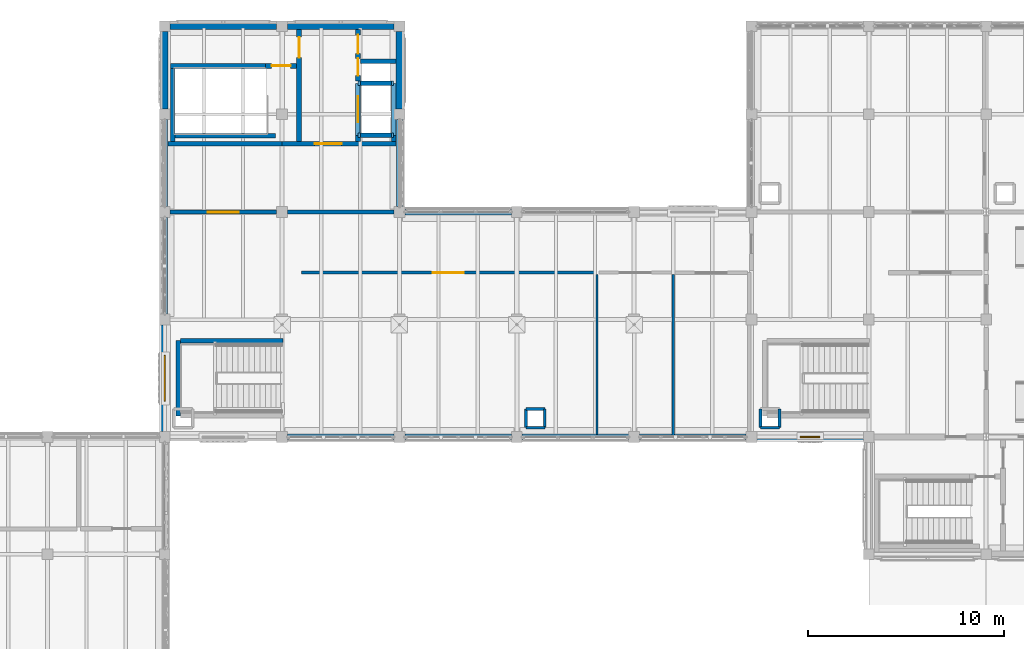
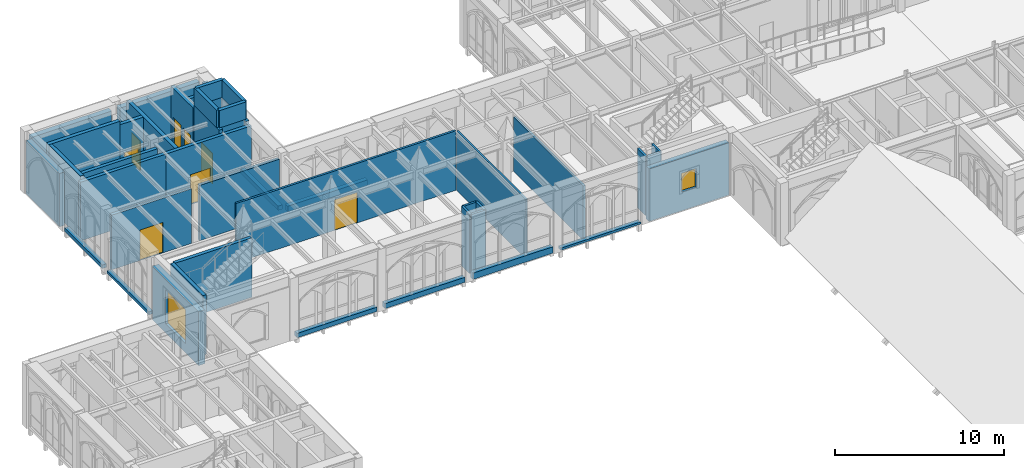
# One storey, part 75 of 108: 45 walls, 8 doors, 2 windows, 10 openings.
"""IFC4 building model written with IfcOpenShell, lengths in metres."""

from ifc_helpers import new_model, si_unit, direction, frame, frame_2d, origin, place, context, subcontext, project, spatial, rectangle, extrude, material, layer, layer_set, type_object, element, fill, save


model = new_model("IFC4")

# Units and contexts
model_context = context("Model", 3, precision=1e-05, world=origin(), true_north=direction((0.0, 1.0)))
body_context = subcontext(model_context, "Body", "Model", "MODEL_VIEW")
ifc_project = project(units=[si_unit("LENGTHUNIT", "METRE"), si_unit("AREAUNIT", "SQUARE_METRE"), si_unit("VOLUMEUNIT", "CUBIC_METRE"), si_unit("PLANEANGLEUNIT", "RADIAN"), si_unit("MASSUNIT", "GRAM", prefix="KILO")], contexts=[model_context])

# Site, building, storey
site_placement = place(None, origin())
site = spatial("IfcSite", under=ifc_project, at=site_placement, CompositionType="ELEMENT")
building_placement = place(site_placement, origin())
building = spatial("IfcBuilding", under=site, at=building_placement, Name="Cumevento Cable Car Station", CompositionType="ELEMENT")
storey_placement = place(building_placement, frame((0.0, 0.0, 13.5)))
storey = spatial("IfcBuildingStorey", under=building, at=storey_placement, Name="L04", CompositionType="ELEMENT", Elevation=13.5)

# Walls
ifc_material_1 = material(Name="Gnaisse Facoidal Stone Ashlar 85 MPa", Category="masonry")
ifc_layer_1 = layer(ifc_material_1, 0.294921875)
ifc_layer_set_1 = layer_set([ifc_layer_1], Name="Gnaisse Facoidal Stone Ashlar 85 MPa")
wall_type_1 = type_object("IfcWallType", Name="Exterior Envelope Wall EW-295 295", PredefinedType="SOLIDWALL", material=ifc_layer_set_1)
wall_1_placement = place(storey_placement, frame((33.72509765625, 45.0, 0.0), z_axis=(0.0, 0.0, 1.0), x_axis=(-1.0, 0.0, 0.0)))
element("IfcWall", 1, at=wall_1_placement, inside=storey, type_object=wall_type_1, Name="Exterior Sill Curb Wall EW-295 L04 #316", PredefinedType="SOLIDWALL", context=body_context, shape_type="SweptSolid", body=[
    extrude(rectangle(XDim=5.4501953125, YDim=0.294921875, at=frame_2d((2.72509765625, 0.0))), origin(), (0.0, 0.0, 1.0), 0.31005859375),
])
wall_2_placement = place(storey_placement, frame((39.72509765625, 45.0, 0.0), z_axis=(0.0, 0.0, 1.0), x_axis=(-1.0, 0.0, 0.0)))
element("IfcWall", 2, at=wall_2_placement, inside=storey, type_object=wall_type_1, Name="Exterior Sill Curb Wall EW-295 L04 #317", PredefinedType="SOLIDWALL", context=body_context, shape_type="SweptSolid", body=[
    extrude(rectangle(XDim=5.4501953125, YDim=0.294921875, at=frame_2d((2.72509765625, 0.0))), origin(), (0.0, 0.0, 1.0), 0.360107421875),
])
wall_3_placement = place(storey_placement, frame((34.27490234375, 56.5, 0.0), z_axis=(0.0, 0.0, 1.0), x_axis=(1.0, 0.0, 0.0)))
element("IfcWall", 3, at=wall_3_placement, inside=storey, type_object=wall_type_1, Name="Exterior Sill Curb Wall EW-295 L04 #318", PredefinedType="SOLIDWALL", context=body_context, shape_type="SweptSolid", body=[
    extrude(rectangle(XDim=5.4501953125, YDim=0.294921875, at=frame_2d((2.72509765625, 0.0))), origin(), (0.0, 0.0, 1.0), 0.409912109375),
])
wall_4_placement = place(storey_placement, frame((45.72509765625, 45.0, 0.0), z_axis=(0.0, 0.0, 1.0), x_axis=(-1.0, 0.0, 0.0)))
element("IfcWall", 4, at=wall_4_placement, inside=storey, type_object=wall_type_1, Name="Exterior Sill Curb Wall EW-295 L04 #319", PredefinedType="SOLIDWALL", context=body_context, shape_type="SweptSolid", body=[
    extrude(rectangle(XDim=5.4501953125, YDim=0.294921875, at=frame_2d((2.72509765625, 0.0))), origin(), (0.0, 0.0, 1.0), 0.4599609375),
])
wall_5_placement = place(storey_placement, frame((51.72509765625, 45.0, 0.0), z_axis=(0.0, 0.0, 1.0), x_axis=(-1.0, 0.0, 0.0)))
element("IfcWall", 5, at=wall_5_placement, inside=storey, type_object=wall_type_1, Name="Exterior Sill Curb Wall EW-295 L04 #321", PredefinedType="SOLIDWALL", context=body_context, shape_type="SweptSolid", body=[
    extrude(rectangle(XDim=5.4501953125, YDim=0.294921875, at=frame_2d((2.72509765625, 0.0))), origin(), (0.0, 0.0, 1.0), 0.159912109375),
])
wall_6_placement = place(storey_placement, frame((22.0, 51.27490234375, 0.0), z_axis=(0.0, 0.0, 1.0), x_axis=(0.0, 1.0, 0.0)))
element("IfcWall", 6, at=wall_6_placement, inside=storey, type_object=wall_type_1, Name="Exterior Sill Curb Wall EW-295 L04 #324", PredefinedType="SOLIDWALL", context=body_context, shape_type="SweptSolid", body=[
    extrude(rectangle(XDim=4.9501953125, YDim=0.294921875, at=frame_2d((2.47509765625, 0.0))), origin(), (0.0, 0.0, 1.0), 0.2099609375),
])
wall_7_placement = place(storey_placement, frame((22.0, 56.77490234375, 0.0), z_axis=(0.0, 0.0, 1.0), x_axis=(0.0, 1.0, 0.0)))
element("IfcWall", 7, at=wall_7_placement, inside=storey, type_object=wall_type_1, Name="Exterior Sill Curb Wall EW-295 L04 #327", PredefinedType="SOLIDWALL", context=body_context, shape_type="SweptSolid", body=[
    extrude(rectangle(XDim=4.4501953125, YDim=0.294921875, at=frame_2d((2.22509765625, 0.0))), origin(), (0.0, 0.0, 1.0), 0.260009765625),
])
wall_8_placement = place(storey_placement, frame((34.0, 61.22509765625, 0.0), z_axis=(0.0, 0.0, 1.0), x_axis=(0.0, -1.0, 0.0)))
element("IfcWall", 8, at=wall_8_placement, inside=storey, type_object=wall_type_1, Name="Exterior Sill Curb Wall EW-295 L04 #328", PredefinedType="SOLIDWALL", context=body_context, shape_type="SweptSolid", body=[
    extrude(rectangle(XDim=4.4501953125, YDim=0.294921875, at=frame_2d((2.22509765625, 0.0))), origin(), (0.0, 0.0, 1.0), 0.31005859375),
])
ifc_material_2 = material(Name="Concrete C40/50", Category="concrete")
ifc_layer_2 = layer(ifc_material_2, 0.35498046875)
ifc_layer_set_2 = layer_set([ifc_layer_2], Name="Concrete C40/50")
wall_type_2 = type_object("IfcWallType", Name="Exterior Envelope Wall EW-355 355", PredefinedType="SOLIDWALL", material=ifc_layer_set_2)
for number, where, z_axis, x_axis, name in (
    (9, (22.27490234375, 66.0, 0.0), (0.0, 0.0, 1.0), (1.0, 0.0, 0.0), "Exterior Wall EW-355 L04 #325"),
    (10, (28.27490234375, 66.0, 0.0), (0.0, 0.0, 1.0), (1.0, 0.0, 0.0), "Exterior Wall EW-355 L04 #326"),
):
    element("IfcWall", number, at=place(storey_placement, frame(where, z_axis=z_axis, x_axis=x_axis)), inside=storey, type_object=wall_type_2, Name=name, PredefinedType="SOLIDWALL", context=body_context, shape_type="SweptSolid", body=[
        extrude(rectangle(XDim=5.4501953125, YDim=0.35498046875, at=frame_2d((2.72509765625, 0.0))), origin(), (0.0, 0.0, 1.0), 3.843017578125),
    ])
for number, where, z_axis, x_axis, name in (
    (11, (22.0, 61.77490234375, 0.0), (0.0, 0.0, 1.0), (0.0, 1.0, 0.0), "Exterior Wall EW-355 L04 #329"),
    (12, (34.0, 65.72509765625, 0.0), (0.0, 0.0, 1.0), (0.0, -1.0, 0.0), "Exterior Wall EW-355 L04 #330"),
):
    element("IfcWall", number, at=place(storey_placement, frame(where, z_axis=z_axis, x_axis=x_axis)), inside=storey, type_object=wall_type_2, Name=name, PredefinedType="SOLIDWALL", context=body_context, shape_type="SweptSolid", body=[
        extrude(rectangle(XDim=3.9501953125, YDim=0.35498046875, at=frame_2d((1.97509765625, 0.0))), origin(), (0.0, 0.0, 1.0), 3.843017578125),
    ])

# Wall, opening, window
wall_9_placement = place(storey_placement, frame((57.72509765625, 45.0, 0.0), z_axis=(0.0, 0.0, 1.0), x_axis=(-1.0, 0.0, 0.0)))
wall_9 = element("IfcWall", 13, at=wall_9_placement, inside=storey, type_object=wall_type_2, Name="Exterior Wall EW-355 L04 #331", PredefinedType="SOLIDWALL", context=body_context, shape_type="SweptSolid", body=[
    extrude(rectangle(XDim=5.4501953125, YDim=0.35498046875, at=frame_2d((2.72509765625, 0.0))), origin(), (0.0, 0.0, 1.0), 3.797119140625),
])
opening_1_placement = place(wall_9_placement, frame((2.22509765625, 0.0, 1.35009765625)))
opening_1 = element("IfcOpeningElement", 14, at=opening_1_placement, cuts=wall_9, Name="Opening WN-L04-089", PredefinedType="OPENING", context=body_context, shape_type="SweptSolid", body=[
    extrude(rectangle(XDim=1.0, YDim=1.35009765625, at=frame_2d((0.5, 0.675048828125))), frame((0.0, 0.1875, 0.0), z_axis=(0.0, -1.0, 0.0), x_axis=(1.0, 0.0, 0.0)), (0.0, 0.0, 1.0), 0.375),
])
ifc_material_3 = material(Name="Anodised Bronze Aluminium & Laminated Solar Glass", Category="aluminium")
window_type_1 = type_object("IfcWindowType", Name="Lancet Window WN-17 1000x1350", PartitioningType="SINGLE_PANEL", PredefinedType="WINDOW", material=ifc_material_3)
window_1_placement = place(opening_1_placement, origin())
window_1 = element("IfcWindow", 15, at=window_1_placement, inside=storey, type_object=window_type_1, Name="Lancet Window WN-L04-089 (WN-17)", OverallHeight=1.35009765625, OverallWidth=1.0, PartitioningType="SINGLE_PANEL", PredefinedType="WINDOW", context=body_context, shape_type="SweptSolid", body=[
    extrude(rectangle(XDim=1.0, YDim=1.35009765625, at=frame_2d((0.5, 0.675048828125))), frame((0.0, 0.030029296875, 0.0), z_axis=(0.0, -1.0, 0.0), x_axis=(1.0, 0.0, 0.0)), (0.0, 0.0, 1.0), 0.06005859375),
])
fill(opening_1, window_1)

ifc_material_4 = material(Name="Gnaisse Facoidal Stone Ashlar 85 MPa", Category="masonry")
ifc_layer_3 = layer(ifc_material_4, 0.429931640625)
ifc_layer_set_3 = layer_set([ifc_layer_3], Name="Gnaisse Facoidal Stone Ashlar 85 MPa")
wall_type_3 = type_object("IfcWallType", Name="Exterior Envelope Wall EW-430 430", PredefinedType="SOLIDWALL", material=ifc_layer_set_3)
wall_10_placement = place(storey_placement, frame((22.0, 45.27490234375, 0.0), z_axis=(0.0, 0.0, 1.0), x_axis=(0.0, 1.0, 0.0)))
wall_10 = element("IfcWall", 16, at=wall_10_placement, inside=storey, type_object=wall_type_3, Name="Exterior Wall EW-430 L04 #323", PredefinedType="SOLIDWALL", context=body_context, shape_type="SweptSolid", body=[
    extrude(rectangle(XDim=5.4501953125, YDim=0.429931640625, at=frame_2d((2.72509765625, 0.0))), origin(), (0.0, 0.0, 1.0), 3.881103515625),
])
opening_2_placement = place(wall_10_placement, frame((1.550048828125, 0.0, 0.64990234375)))
opening_2 = element("IfcOpeningElement", 17, at=opening_2_placement, cuts=wall_10, Name="Opening WN-L04-088", PredefinedType="OPENING", context=body_context, shape_type="SweptSolid", body=[
    extrude(rectangle(XDim=2.35009765625, YDim=2.449951171875, at=frame_2d((1.175048828125, 1.22509765625))), frame((0.0, 0.224853515625, 0.0), z_axis=(0.0, -1.0, 0.0), x_axis=(1.0, 0.0, 0.0)), (0.0, 0.0, 1.0), 0.449951171875),
])
ifc_material_5 = material(Name="Anodised Bronze Aluminium & Laminated Solar Glass", Category="aluminium")
window_type_2 = type_object("IfcWindowType", Name="Lancet Window WN-16 2350x2450", PartitioningType="DOUBLE_PANEL_VERTICAL", PredefinedType="WINDOW", material=ifc_material_5)
window_2_placement = place(opening_2_placement, origin())
window_2 = element("IfcWindow", 18, at=window_2_placement, inside=storey, type_object=window_type_2, Name="Lancet Window WN-L04-088 (WN-16)", OverallHeight=2.449951171875, OverallWidth=2.35009765625, PartitioningType="SINGLE_PANEL", PredefinedType="WINDOW", context=body_context, shape_type="SweptSolid", body=[
    extrude(rectangle(XDim=2.35009765625, YDim=2.449951171875, at=frame_2d((1.175048828125, 1.22509765625))), frame((0.0, 0.030029296875, 0.0), z_axis=(0.0, -1.0, 0.0), x_axis=(1.0, 0.0, 0.0)), (0.0, 0.0, 1.0), 0.06005859375),
])
fill(opening_2, window_2)

# Wall, opening, door
ifc_material_6 = material(Name="Concrete C40/50", Category="concrete")
ifc_layer_4 = layer(ifc_material_6, 0.219970703125)
ifc_layer_set_4 = layer_set([ifc_layer_4], Name="Concrete C40/50")
wall_type_4 = type_object("IfcWallType", Name="Interior Partition FW-220 220", PredefinedType="SOLIDWALL", material=ifc_layer_set_4)
wall_11_placement = place(storey_placement, frame((22.277099609375, 56.5, 0.0), z_axis=(0.0, 0.0, 1.0), x_axis=(1.0, 0.0, 0.0)))
wall_11 = element("IfcWall", 19, at=wall_11_placement, inside=storey, type_object=wall_type_4, Name="Interior Wall FW-220 L04 #702", PredefinedType="SOLIDWALL", context=body_context, shape_type="SweptSolid", body=[
    extrude(rectangle(XDim=5.44580078125, YDim=0.219970703125, at=frame_2d((2.722900390625, 0.0))), origin(), (0.0, 0.0, 1.0), 3.944091796875),
])
opening_3_placement = place(wall_11_placement, frame((1.93310546875, 0.0, 0.0)))
opening_3 = element("IfcOpeningElement", 20, at=opening_3_placement, cuts=wall_11, Name="Opening DR-L04-283", PredefinedType="OPENING", context=body_context, shape_type="SweptSolid", body=[
    extrude(rectangle(XDim=1.580078125, YDim=2.199951171875, at=frame_2d((0.7900390625, 1.10009765625))), frame((0.0, 0.119873046875, 0.0), z_axis=(0.0, -1.0, 0.0), x_axis=(1.0, 0.0, 0.0)), (0.0, 0.0, 1.0), 0.239990234375),
])
ifc_material_7 = material(Name="Galvanised Painted Steel Fire Door", Category="steel")
door_type_1 = type_object("IfcDoorType", Name="Interior Door FD-06 1580x2200", OperationType="NOTDEFINED", PredefinedType="DOOR", material=ifc_material_7)
door_1_placement = place(opening_3_placement, origin())
door_1 = element("IfcDoor", 21, at=door_1_placement, inside=storey, type_object=door_type_1, Name="Interior Door DR-L04-283 (FD-06)", OperationType="DOUBLE_DOOR_SINGLE_SWING", OverallHeight=2.199951171875, OverallWidth=1.580078125, PredefinedType="DOOR", context=body_context, shape_type="SweptSolid", body=[
    extrude(rectangle(XDim=1.580078125, YDim=2.199951171875, at=frame_2d((0.7900390625, 1.10009765625))), frame((0.0, 0.02490234375, 0.0), z_axis=(0.0, -1.0, 0.0), x_axis=(1.0, 0.0, 0.0)), (0.0, 0.0, 1.0), 0.050048828125),
])
fill(opening_3, door_1)

# Walls
wall_12_placement = place(storey_placement, frame((28.277099609375, 56.5, 0.0), z_axis=(0.0, 0.0, 1.0), x_axis=(1.0, 0.0, 0.0)))
element("IfcWall", 22, at=wall_12_placement, inside=storey, type_object=wall_type_4, Name="Interior Wall FW-220 L04 #703", PredefinedType="SOLIDWALL", context=body_context, shape_type="SweptSolid", body=[
    extrude(rectangle(XDim=5.44580078125, YDim=0.219970703125, at=frame_2d((2.722900390625, 0.0))), origin(), (0.0, 0.0, 1.0), 3.98388671875),
])
ifc_material_8 = material(Name="Gypsum Board & Insulated Stud Partition", Category="gypsum")
ifc_layer_5 = layer(ifc_material_8, 0.125)
ifc_layer_set_5 = layer_set([ifc_layer_5], Name="Gypsum Board & Insulated Stud Partition")
wall_type_5 = type_object("IfcWallType", Name="Interior Partition PT-125 125", PredefinedType="PARTITIONING", material=ifc_layer_set_5)
wall_13_placement = place(storey_placement, frame((44.10009765625, 45.1240234375, 0.0), z_axis=(0.0, 0.0, 1.0), x_axis=(0.0, 1.0, 0.0)))
element("IfcWall", 23, at=wall_13_placement, inside=storey, type_object=wall_type_5, Name="Interior Wall PT-125 L04 #697", PredefinedType="PARTITIONING", context=body_context, shape_type="SweptSolid", body=[
    extrude(rectangle(XDim=8.176025390625, YDim=0.125, at=frame_2d((4.087890625, 0.0))), origin(), (0.0, 0.0, 1.0), 4.2880859375),
])
ifc_material_9 = material(Name="Gypsum Board & Insulated Stud Partition", Category="gypsum")
ifc_layer_6 = layer(ifc_material_9, 0.14501953125)
ifc_layer_set_6 = layer_set([ifc_layer_6], Name="Gypsum Board & Insulated Stud Partition")
wall_type_6 = type_object("IfcWallType", Name="Interior Partition PT-145 145", PredefinedType="PARTITIONING", material=ifc_layer_set_6)
for number, where, z_axis, x_axis, name in (
    (24, (40.469970703125, 45.469970703125, 0.0), (0.0, 0.0, 1.0), (1.0, 0.0, 0.0), "Interior Wall PT-145 L04 #53"),
    (25, (41.429931640625, 45.469970703125, 0.0), (0.0, 0.0, 1.0), (0.0, 1.0, 0.0), "Interior Wall PT-145 L04 #54"),
    (26, (41.429931640625, 46.429931640625, 0.0), (0.0, 0.0, 1.0), (-1.0, 0.0, 0.0), "Interior Wall PT-145 L04 #55"),
    (27, (40.469970703125, 46.429931640625, 0.0), (0.0, 0.0, 1.0), (0.0, -1.0, 0.0), "Interior Wall PT-145 L04 #56"),
):
    element("IfcWall", number, at=place(storey_placement, frame(where, z_axis=z_axis, x_axis=x_axis)), inside=storey, type_object=wall_type_6, Name=name, PredefinedType="PARTITIONING", context=body_context, shape_type="SweptSolid", body=[
        extrude(rectangle(XDim=0.9599609375, YDim=0.14501953125, at=frame_2d((0.47998046875, 0.0))), origin(), (0.0, 0.0, 1.0), 4.2880859375),
    ])
for number, where, z_axis, x_axis, name in (
    (28, (52.469970703125, 45.469970703125, 0.0), (0.0, 0.0, 1.0), (1.0, 0.0, 0.0), "Interior Wall PT-145 L04 #61"),
    (29, (53.429931640625, 45.469970703125, 0.0), (0.0, 0.0, 1.0), (0.0, 1.0, 0.0), "Interior Wall PT-145 L04 #62"),
    (30, (52.469970703125, 46.429931640625, 0.0), (0.0, 0.0, 1.0), (0.0, -1.0, 0.0), "Interior Wall PT-145 L04 #64"),
):
    element("IfcWall", number, at=place(storey_placement, frame(where, z_axis=z_axis, x_axis=x_axis)), inside=storey, type_object=wall_type_6, Name=name, PredefinedType="PARTITIONING", context=body_context, shape_type="SweptSolid", body=[
        extrude(rectangle(XDim=0.9599609375, YDim=0.14501953125, at=frame_2d((0.47998046875, 0.0))), origin(), (0.0, 0.0, 1.0), 4.263916015625),
    ])

# Wall, opening, door
wall_14_placement = place(storey_placement, frame((29.0, 53.39990234375, 0.0), z_axis=(0.0, 0.0, 1.0), x_axis=(1.0, 0.0, 0.0)))
wall_14 = element("IfcWall", 31, at=wall_14_placement, inside=storey, type_object=wall_type_6, Name="Interior Wall PT-145 L04 #698", PredefinedType="PARTITIONING", context=body_context, shape_type="SweptSolid", body=[
    extrude(rectangle(XDim=15.0, YDim=0.14501953125, at=frame_2d((7.5, 0.0))), origin(), (0.0, 0.0, 1.0), 4.2880859375),
])
opening_4_placement = place(wall_14_placement, frame((6.7099609375, 0.0, 0.0)))
opening_4 = element("IfcOpeningElement", 32, at=opening_4_placement, cuts=wall_14, Name="Opening DR-L04-280", PredefinedType="OPENING", context=body_context, shape_type="SweptSolid", body=[
    extrude(rectangle(XDim=1.580078125, YDim=2.199951171875, at=frame_2d((0.7900390625, 1.10009765625))), frame((0.0, 0.08251953125, 0.0), z_axis=(0.0, -1.0, 0.0), x_axis=(1.0, 0.0, 0.0)), (0.0, 0.0, 1.0), 0.1650390625),
])
door_2_placement = place(opening_4_placement, origin())
door_2 = element("IfcDoor", 33, at=door_2_placement, inside=storey, type_object=door_type_1, Name="Interior Door DR-L04-280 (FD-06)", OperationType="DOUBLE_DOOR_SINGLE_SWING", OverallHeight=2.199951171875, OverallWidth=1.580078125, PredefinedType="DOOR", context=body_context, shape_type="SweptSolid", body=[
    extrude(rectangle(XDim=1.580078125, YDim=2.199951171875, at=frame_2d((0.7900390625, 1.10009765625))), frame((0.0, 0.02490234375, 0.0), z_axis=(0.0, -1.0, 0.0), x_axis=(1.0, 0.0, 0.0)), (0.0, 0.0, 1.0), 0.050048828125),
])
fill(opening_4, door_2)

# Walls
wall_15_placement = place(storey_placement, frame((48.0, 45.08203125, 0.0), z_axis=(0.0, 0.0, 1.0), x_axis=(0.0, 1.0, 0.0)))
element("IfcWall", 34, at=wall_15_placement, inside=storey, type_object=wall_type_6, Name="Interior Wall PT-145 L04 #699", PredefinedType="PARTITIONING", context=body_context, shape_type="SweptSolid", body=[
    extrude(rectangle(XDim=8.218017578125, YDim=0.14501953125, at=frame_2d((4.10888671875, 0.0))), origin(), (0.0, 0.0, 1.0), 3.93310546875),
])
ifc_material_10 = material(Name="Concrete C40/50", Category="concrete")
ifc_layer_7 = layer(ifc_material_10, 0.22998046875)
ifc_layer_set_7 = layer_set([ifc_layer_7], Name="Concrete C40/50")
wall_type_7 = type_object("IfcWallType", Name="Interior Shear Wall CW-230 230", PredefinedType="SHEAR", material=ifc_layer_set_7)
wall_16_placement = place(storey_placement, frame((31.8798828125, 60.419921875, 4.5), z_axis=(0.0, 0.0, 1.0), x_axis=(1.0, 0.0, 0.0)))
element("IfcWall", 35, at=wall_16_placement, inside=storey, type_object=wall_type_7, Name="Interior Wall CW-230 L04 #342", PredefinedType="SHEAR", context=body_context, shape_type="SweptSolid", body=[
    extrude(rectangle(XDim=1.820068359375, YDim=0.22998046875, at=frame_2d((0.91015625, 0.0))), origin(), (0.0, 0.0, 1.0), 1.25),
])
wall_17_placement = place(storey_placement, frame((33.699951171875, 60.419921875, 4.5), z_axis=(0.0, 0.0, 1.0), x_axis=(0.0, 1.0, 0.0)))
element("IfcWall", 36, at=wall_17_placement, inside=storey, type_object=wall_type_7, Name="Interior Wall CW-230 L04 #343", PredefinedType="SHEAR", context=body_context, shape_type="SweptSolid", body=[
    extrude(rectangle(XDim=2.66015625, YDim=0.22998046875, at=frame_2d((1.330078125, 0.0))), origin(), (0.0, 0.0, 1.0), 1.25),
])
wall_18_placement = place(storey_placement, frame((33.699951171875, 63.080078125, 4.5), z_axis=(0.0, 0.0, 1.0), x_axis=(-1.0, 0.0, 0.0)))
element("IfcWall", 37, at=wall_18_placement, inside=storey, type_object=wall_type_7, Name="Interior Wall CW-230 L04 #344", PredefinedType="SHEAR", context=body_context, shape_type="SweptSolid", body=[
    extrude(rectangle(XDim=1.820068359375, YDim=0.22998046875, at=frame_2d((0.91015625, 0.0))), origin(), (0.0, 0.0, 1.0), 1.25),
])
wall_19_placement = place(storey_placement, frame((31.8798828125, 63.080078125, 4.5), z_axis=(0.0, 0.0, 1.0), x_axis=(0.0, -1.0, 0.0)))
element("IfcWall", 38, at=wall_19_placement, inside=storey, type_object=wall_type_7, Name="Interior Wall CW-230 L04 #345", PredefinedType="SHEAR", context=body_context, shape_type="SweptSolid", body=[
    extrude(rectangle(XDim=2.66015625, YDim=0.22998046875, at=frame_2d((1.330078125, 0.0))), origin(), (0.0, 0.0, 1.0), 1.25),
])
wall_20_placement = place(storey_placement, frame((22.175048828125, 60.0, 0.0), z_axis=(0.0, 0.0, 1.0), x_axis=(1.0, 0.0, 0.0)))
element("IfcWall", 39, at=wall_20_placement, inside=storey, type_object=wall_type_7, Name="Interior Wall CW-230 L04 #385", PredefinedType="SHEAR", context=body_context, shape_type="SweptSolid", body=[
    extrude(rectangle(XDim=5.824951171875, YDim=0.22998046875, at=frame_2d((2.91259765625, 0.0))), origin(), (0.0, 0.0, 1.0), 4.239990234375),
])

# Wall, opening, door
wall_21_placement = place(storey_placement, frame((28.0, 60.0, 0.0), z_axis=(0.0, 0.0, 1.0), x_axis=(1.0, 0.0, 0.0)))
wall_21 = element("IfcWall", 40, at=wall_21_placement, inside=storey, type_object=wall_type_7, Name="Interior Wall CW-230 L04 #386", PredefinedType="SHEAR", context=body_context, shape_type="SweptSolid", body=[
    extrude(rectangle(XDim=5.824951171875, YDim=0.22998046875, at=frame_2d((2.91259765625, 0.0))), origin(), (0.0, 0.0, 1.0), 4.239990234375),
])
opening_5_placement = place(wall_21_placement, frame((1.659912109375, 0.0, 0.0)))
opening_5 = element("IfcOpeningElement", 41, at=opening_5_placement, cuts=wall_21, Name="Opening DR-L04-118", PredefinedType="OPENING", context=body_context, shape_type="SweptSolid", body=[
    extrude(rectangle(XDim=1.3798828125, YDim=2.159912109375, at=frame_2d((0.68994140625, 1.080078125))), frame((0.0, 0.125, 0.0), z_axis=(0.0, -1.0, 0.0), x_axis=(1.0, 0.0, 0.0)), (0.0, 0.0, 1.0), 0.25),
])
ifc_material_11 = material(Name="Galvanised Painted Steel Fire Door", Category="steel")
door_type_2 = type_object("IfcDoorType", Name="Interior Door FD-04 1380x2160", OperationType="NOTDEFINED", PredefinedType="DOOR", material=ifc_material_11)
door_3_placement = place(opening_5_placement, origin())
door_3 = element("IfcDoor", 42, at=door_3_placement, inside=storey, type_object=door_type_2, Name="Core CORE4 S_lobby Fire Door L04", OperationType="DOUBLE_DOOR_SINGLE_SWING", OverallHeight=2.159912109375, OverallWidth=1.3798828125, PredefinedType="DOOR", context=body_context, shape_type="SweptSolid", body=[
    extrude(rectangle(XDim=1.3798828125, YDim=2.159912109375, at=frame_2d((0.68994140625, 1.080078125))), frame((0.0, 0.02490234375, 0.0), z_axis=(0.0, -1.0, 0.0), x_axis=(1.0, 0.0, 0.0)), (0.0, 0.0, 1.0), 0.050048828125),
])
fill(opening_5, door_3)

# Walls
wall_22_placement = place(storey_placement, frame((22.405029296875, 60.114990234375, 0.0), z_axis=(0.0, 0.0, 1.0), x_axis=(0.0, 1.0, 0.0)))
element("IfcWall", 43, at=wall_22_placement, inside=storey, type_object=wall_type_7, Name="Interior Wall CW-230 L04 #387", PredefinedType="SHEAR", context=body_context, shape_type="SweptSolid", body=[
    extrude(rectangle(XDim=3.735107421875, YDim=0.22998046875, at=frame_2d((1.86767578125, 0.0))), origin(), (0.0, 0.0, 1.0), 4.5),
])
wall_23_placement = place(storey_placement, frame((22.52001953125, 60.405029296875, 0.0), z_axis=(0.0, 0.0, 1.0), x_axis=(1.0, 0.0, 0.0)))
element("IfcWall", 44, at=wall_23_placement, inside=storey, type_object=wall_type_7, Name="Interior Wall CW-230 L04 #388", PredefinedType="SHEAR", context=body_context, shape_type="SweptSolid", body=[
    extrude(rectangle(XDim=5.1298828125, YDim=0.22998046875, at=frame_2d((2.56494140625, 0.0))), origin(), (0.0, 0.0, 1.0), 4.5),
])
wall_24_placement = place(storey_placement, frame((32.0048828125, 60.419921875, 0.0), z_axis=(0.0, 0.0, 1.0), x_axis=(1.0, 0.0, 0.0)))
element("IfcWall", 45, at=wall_24_placement, inside=storey, type_object=wall_type_7, Name="Interior Wall CW-230 L04 #393", PredefinedType="SHEAR", context=body_context, shape_type="SweptSolid", body=[
    extrude(rectangle(XDim=1.580078125, YDim=0.22998046875, at=frame_2d((0.7900390625, 0.0))), origin(), (0.0, 0.0, 1.0), 4.5),
])
wall_25_placement = place(storey_placement, frame((33.699951171875, 60.114990234375, 0.0), z_axis=(0.0, 0.0, 1.0), x_axis=(0.0, 1.0, 0.0)))
element("IfcWall", 46, at=wall_25_placement, inside=storey, type_object=wall_type_7, Name="Interior Wall CW-230 L04 #394", PredefinedType="SHEAR", context=body_context, shape_type="SweptSolid", body=[
    extrude(rectangle(XDim=2.965087890625, YDim=0.22998046875, at=frame_2d((1.482421875, 0.0))), origin(), (0.0, 0.0, 1.0), 4.5),
])
wall_26_placement = place(storey_placement, frame((32.0048828125, 63.080078125, 0.0), z_axis=(0.0, 0.0, 1.0), x_axis=(1.0, 0.0, 0.0)))
element("IfcWall", 47, at=wall_26_placement, inside=storey, type_object=wall_type_7, Name="Interior Wall CW-230 L04 #395", PredefinedType="SHEAR", context=body_context, shape_type="SweptSolid", body=[
    extrude(rectangle(XDim=1.580078125, YDim=0.22998046875, at=frame_2d((0.7900390625, 0.0))), origin(), (0.0, 0.0, 1.0), 4.5),
])
wall_27_placement = place(storey_placement, frame((32.0048828125, 64.219970703125, 0.0), z_axis=(0.0, 0.0, 1.0), x_axis=(1.0, 0.0, 0.0)))
element("IfcWall", 48, at=wall_27_placement, inside=storey, type_object=wall_type_7, Name="Interior Wall CW-230 L04 #397", PredefinedType="SHEAR", context=body_context, shape_type="SweptSolid", body=[
    extrude(rectangle(XDim=1.820068359375, YDim=0.22998046875, at=frame_2d((0.91015625, 0.0))), origin(), (0.0, 0.0, 1.0), 4.239990234375),
])
wall_28_placement = place(storey_placement, frame((22.679931640625, 46.080078125, 0.0), z_axis=(0.0, 0.0, 1.0), x_axis=(0.0, 1.0, 0.0)))
element("IfcWall", 49, at=wall_28_placement, inside=storey, type_object=wall_type_7, Name="Interior Wall CW-230 L04 #539", PredefinedType="SHEAR", context=body_context, shape_type="SweptSolid", body=[
    extrude(rectangle(XDim=3.83984375, YDim=0.22998046875, at=frame_2d((1.919921875, 0.0))), origin(), (0.0, 0.0, 1.0), 4.2880859375),
])
wall_29_placement = place(storey_placement, frame((22.800048828125, 49.919921875, 0.0), z_axis=(0.0, 0.0, 1.0), x_axis=(1.0, 0.0, 0.0)))
element("IfcWall", 50, at=wall_29_placement, inside=storey, type_object=wall_type_7, Name="Interior Wall CW-230 L04 #541", PredefinedType="SHEAR", context=body_context, shape_type="SweptSolid", body=[
    extrude(rectangle(XDim=5.239990234375, YDim=0.22998046875, at=frame_2d((2.6201171875, 0.0))), origin(), (0.0, 0.0, 1.0), 4.2880859375),
])
ifc_material_12 = material(Name="Concrete C40/50", Category="concrete")
ifc_layer_8 = layer(ifc_material_12, 0.25)
ifc_layer_set_8 = layer_set([ifc_layer_8], Name="Concrete C40/50")
wall_type_8 = type_object("IfcWallType", Name="Interior Shear Wall CW-250 250", PredefinedType="SHEAR", material=ifc_layer_set_8)
wall_30_placement = place(storey_placement, frame((22.2900390625, 63.97509765625, 0.0), z_axis=(0.0, 0.0, 1.0), x_axis=(1.0, 0.0, 0.0)))
element("IfcWall", 51, at=wall_30_placement, inside=storey, type_object=wall_type_8, Name="Interior Wall CW-250 L04 #389", PredefinedType="SHEAR", context=body_context, shape_type="SweptSolid", body=[
    extrude(rectangle(XDim=4.869873046875, YDim=0.25, at=frame_2d((2.43505859375, 0.0))), origin(), (0.0, 0.0, 1.0), 4.5),
])

# Wall, opening, door
wall_31_placement = place(storey_placement, frame((27.159912109375, 63.97509765625, 0.0), z_axis=(0.0, 0.0, 1.0), x_axis=(1.0, 0.0, 0.0)))
wall_31 = element("IfcWall", 52, at=wall_31_placement, inside=storey, type_object=wall_type_8, Name="Interior Wall CW-250 L04 #390", PredefinedType="SHEAR", context=body_context, shape_type="SweptSolid", body=[
    extrude(rectangle(XDim=1.580078125, YDim=0.25, at=frame_2d((0.7900390625, 0.0))), origin(), (0.0, 0.0, 1.0), 4.239990234375),
])
opening_6_placement = place(wall_31_placement, frame((0.31005859375, 0.0, 0.0)))
opening_6 = element("IfcOpeningElement", 53, at=opening_6_placement, cuts=wall_31, Name="Opening DR-L04-119", PredefinedType="OPENING", context=body_context, shape_type="SweptSolid", body=[
    extrude(rectangle(XDim=0.9599609375, YDim=2.1201171875, at=frame_2d((0.47998046875, 1.06005859375))), frame((0.0, 0.135009765625, 0.0), z_axis=(0.0, -1.0, 0.0), x_axis=(1.0, 0.0, 0.0)), (0.0, 0.0, 1.0), 0.27001953125),
])
ifc_material_13 = material(Name="Galvanised Painted Steel Fire Door", Category="steel")
door_type_3 = type_object("IfcDoorType", Name="Interior Door FD-01 960x2120", OperationType="NOTDEFINED", PredefinedType="DOOR", material=ifc_material_13)
door_4_placement = place(opening_6_placement, origin())
door_4 = element("IfcDoor", 54, at=door_4_placement, inside=storey, type_object=door_type_3, Name="Stair ST-04 Enclosure Door L04", OperationType="SINGLE_SWING_RIGHT", OverallHeight=2.1201171875, OverallWidth=0.9599609375, PredefinedType="DOOR", context=body_context, shape_type="SweptSolid", body=[
    extrude(rectangle(XDim=0.9599609375, YDim=2.1201171875, at=frame_2d((0.47998046875, 1.06005859375))), frame((0.0, 0.02490234375, 0.0), z_axis=(0.0, -1.0, 0.0), x_axis=(1.0, 0.0, 0.0)), (0.0, 0.0, 1.0), 0.050048828125),
])
fill(opening_6, door_4)

wall_32_placement = place(storey_placement, frame((28.864990234375, 60.114990234375, 0.0), z_axis=(0.0, 0.0, 1.0), x_axis=(0.0, 1.0, 0.0)))
wall_32 = element("IfcWall", 55, at=wall_32_placement, inside=storey, type_object=wall_type_8, Name="Interior Wall CW-250 L04 #391", PredefinedType="SHEAR", context=body_context, shape_type="SweptSolid", body=[
    extrude(rectangle(XDim=5.7099609375, YDim=0.25, at=frame_2d((2.85498046875, 0.0))), origin(), (0.0, 0.0, 1.0), 4.239990234375),
])
opening_7_placement = place(wall_32_placement, frame((4.284912109375, 0.0, 0.0)))
opening_7 = element("IfcOpeningElement", 56, at=opening_7_placement, cuts=wall_32, Name="Opening DR-L04-120", PredefinedType="OPENING", context=body_context, shape_type="SweptSolid", body=[
    extrude(rectangle(XDim=1.0400390625, YDim=2.139892578125, at=frame_2d((0.52001953125, 1.06982421875))), frame((0.0, 0.135009765625, 0.0), z_axis=(0.0, -1.0, 0.0), x_axis=(1.0, 0.0, 0.0)), (0.0, 0.0, 1.0), 0.27001953125),
])
ifc_material_14 = material(Name="Galvanised Painted Steel Fire Door", Category="steel")
door_type_4 = type_object("IfcDoorType", Name="Interior Door FD-02 1040x2140", OperationType="NOTDEFINED", PredefinedType="DOOR", material=ifc_material_14)
door_5_placement = place(opening_7_placement, origin())
door_5 = element("IfcDoor", 57, at=door_5_placement, inside=storey, type_object=door_type_4, Name="Lobby Vestibule Door CORE4 L04", OperationType="SINGLE_SWING_LEFT", OverallHeight=2.139892578125, OverallWidth=1.0400390625, PredefinedType="DOOR", context=body_context, shape_type="SweptSolid", body=[
    extrude(rectangle(XDim=1.0400390625, YDim=2.139892578125, at=frame_2d((0.52001953125, 1.06982421875))), frame((0.0, 0.02490234375, 0.0), z_axis=(0.0, -1.0, 0.0), x_axis=(1.0, 0.0, 0.0)), (0.0, 0.0, 1.0), 0.050048828125),
])
fill(opening_7, door_5)

wall_33_placement = place(storey_placement, frame((31.8798828125, 60.114990234375, 0.0), z_axis=(0.0, 0.0, 1.0), x_axis=(0.0, 1.0, 0.0)))
wall_33 = element("IfcWall", 58, at=wall_33_placement, inside=storey, type_object=wall_type_8, Name="Interior Wall CW-250 L04 #392", PredefinedType="SHEAR", context=body_context, shape_type="SweptSolid", body=[
    extrude(rectangle(XDim=2.965087890625, YDim=0.25, at=frame_2d((1.482421875, 0.0))), origin(), (0.0, 0.0, 1.0), 4.5),
])
opening_8_placement = place(wall_33_placement, frame((0.97509765625, 0.0, 0.0)))
opening_8 = element("IfcOpeningElement", 59, at=opening_8_placement, cuts=wall_33, Name="Opening LD-LF04-L04", PredefinedType="OPENING", context=body_context, shape_type="SweptSolid", body=[
    extrude(rectangle(XDim=1.320068359375, YDim=2.199951171875, at=frame_2d((0.66015625, 1.10009765625))), frame((0.0, 0.135009765625, 0.0), z_axis=(0.0, -1.0, 0.0), x_axis=(1.0, 0.0, 0.0)), (0.0, 0.0, 1.0), 0.27001953125),
])
ifc_material_15 = material(Name="Brushed Stainless Steel Lift Door", Category="steel")
door_type_5 = type_object("IfcDoorType", Name="Interior Door LD-04 1320x2200", OperationType="NOTDEFINED", PredefinedType="DOOR", material=ifc_material_15)
door_6_placement = place(opening_8_placement, origin())
door_6 = element("IfcDoor", 60, at=door_6_placement, inside=storey, type_object=door_type_5, Name="Lift Landing Door LD-LF04-L04", OperationType="DOUBLE_DOOR_SLIDING", OverallHeight=2.199951171875, OverallWidth=1.320068359375, PredefinedType="DOOR", context=body_context, shape_type="SweptSolid", body=[
    extrude(rectangle(XDim=1.320068359375, YDim=2.199951171875, at=frame_2d((0.66015625, 1.10009765625))), frame((0.0, 0.02490234375, 0.0), z_axis=(0.0, -1.0, 0.0), x_axis=(1.0, 0.0, 0.0)), (0.0, 0.0, 1.0), 0.050048828125),
])
fill(opening_8, door_6)

# Wall, openings, doors
wall_34_placement = place(storey_placement, frame((31.8798828125, 63.199951171875, 0.0), z_axis=(0.0, 0.0, 1.0), x_axis=(0.0, 1.0, 0.0)))
wall_34 = element("IfcWall", 61, at=wall_34_placement, inside=storey, type_object=wall_type_8, Name="Interior Wall CW-250 L04 #396", PredefinedType="SHEAR", context=body_context, shape_type="SweptSolid", body=[
    extrude(rectangle(XDim=2.625, YDim=0.25, at=frame_2d((1.3125, 0.0))), origin(), (0.0, 0.0, 1.0), 4.239990234375),
])
opening_9_placement = place(wall_34_placement, frame((0.280029296875, 0.0, 0.0)))
opening_9 = element("IfcOpeningElement", 62, at=opening_9_placement, cuts=wall_34, Name="Opening DR-L04-122", PredefinedType="OPENING", context=body_context, shape_type="SweptSolid", body=[
    extrude(rectangle(XDim=0.8798828125, YDim=2.080078125, at=frame_2d((0.43994140625, 1.0400390625))), frame((0.0, 0.135009765625, 0.0), z_axis=(0.0, -1.0, 0.0), x_axis=(1.0, 0.0, 0.0)), (0.0, 0.0, 1.0), 0.27001953125),
])
opening_10_placement = place(wall_34_placement, frame((1.39990234375, 0.0, 0.0)))
opening_10 = element("IfcOpeningElement", 63, at=opening_10_placement, cuts=wall_34, Name="Opening DR-L04-123", PredefinedType="OPENING", context=body_context, shape_type="SweptSolid", body=[
    extrude(rectangle(XDim=0.9599609375, YDim=2.1201171875, at=frame_2d((0.47998046875, 1.06005859375))), frame((0.0, 0.135009765625, 0.0), z_axis=(0.0, -1.0, 0.0), x_axis=(1.0, 0.0, 0.0)), (0.0, 0.0, 1.0), 0.27001953125),
])
door_7_placement = place(opening_10_placement, origin())
door_7 = element("IfcDoor", 64, at=door_7_placement, inside=storey, type_object=door_type_3, Name="East Vestibule Lobby Door CORE4 L04", OperationType="SINGLE_SWING_LEFT", OverallHeight=2.1201171875, OverallWidth=0.9599609375, PredefinedType="DOOR", context=body_context, shape_type="SweptSolid", body=[
    extrude(rectangle(XDim=0.9599609375, YDim=2.1201171875, at=frame_2d((0.47998046875, 1.06005859375))), frame((0.0, 0.02490234375, 0.0), z_axis=(0.0, -1.0, 0.0), x_axis=(1.0, 0.0, 0.0)), (0.0, 0.0, 1.0), 0.050048828125),
])
fill(opening_10, door_7)
ifc_material_16 = material(Name="Galvanised Painted Steel Fire Door", Category="steel")
door_type_6 = type_object("IfcDoorType", Name="Interior Door FD-07 880x2080", OperationType="NOTDEFINED", PredefinedType="DOOR", material=ifc_material_16)
door_8_placement = place(opening_9_placement, origin())
door_8 = element("IfcDoor", 65, at=door_8_placement, inside=storey, type_object=door_type_6, Name="MEP Riser Access Door CORE4 L04", OperationType="SINGLE_SWING_RIGHT", OverallHeight=2.080078125, OverallWidth=0.8798828125, PredefinedType="DOOR", context=body_context, shape_type="SweptSolid", body=[
    extrude(rectangle(XDim=0.8798828125, YDim=2.080078125, at=frame_2d((0.43994140625, 1.0400390625))), frame((0.0, 0.02490234375, 0.0), z_axis=(0.0, -1.0, 0.0), x_axis=(1.0, 0.0, 0.0)), (0.0, 0.0, 1.0), 0.050048828125),
])
fill(opening_9, door_8)

save(model, "model.ifc")
